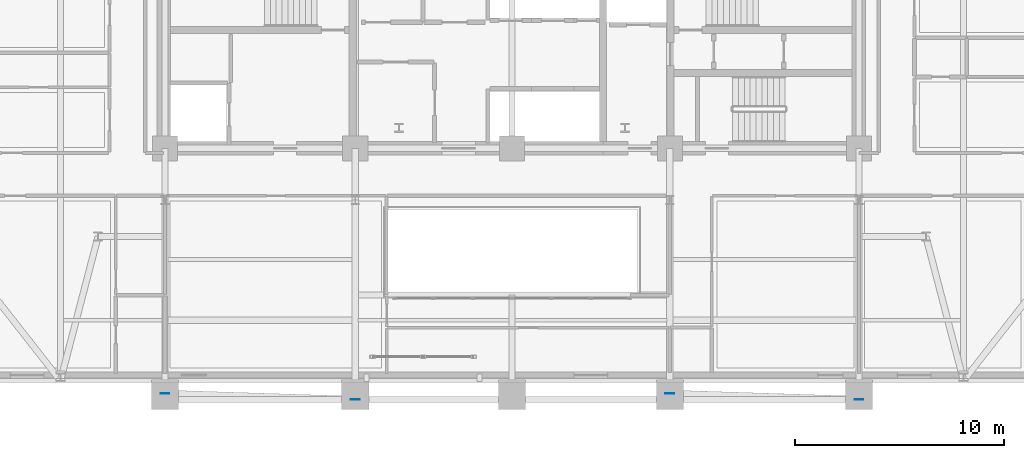
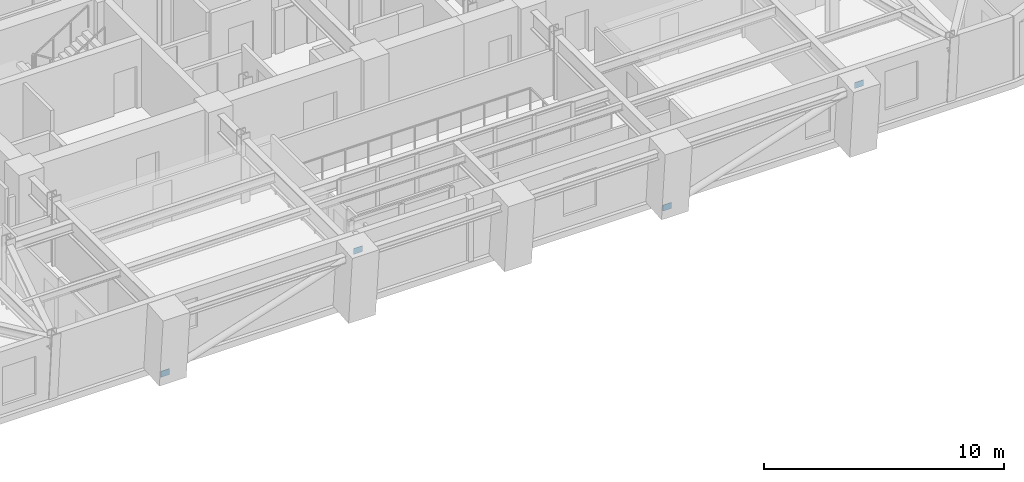
# One storey, part 7 of 15: 4 plates.
"""IFC4 building model written with IfcOpenShell, lengths in metres."""

from ifc_helpers import new_model, si_unit, direction, frame, origin, origin_2d, place, context, subcontext, project, spatial, rectangle, extrude, material, layer, layer_set, type_object, element, save


model = new_model("IFC4")

# Units and contexts
model_context = context("Model", 3, precision=1e-05, world=origin(), true_north=direction((0.0, 1.0)))
body_context = subcontext(model_context, "Body", "Model", "MODEL_VIEW")
ifc_project = project(units=[si_unit("LENGTHUNIT", "METRE"), si_unit("AREAUNIT", "SQUARE_METRE"), si_unit("VOLUMEUNIT", "CUBIC_METRE"), si_unit("PLANEANGLEUNIT", "RADIAN"), si_unit("MASSUNIT", "GRAM", prefix="KILO")], contexts=[model_context])

# Site, building, storey
site_placement = place(None, origin())
site = spatial("IfcSite", under=ifc_project, at=site_placement, CompositionType="ELEMENT")
building_placement = place(site_placement, origin())
building = spatial("IfcBuilding", under=site, at=building_placement, Name="Zarnavel Station Tower", CompositionType="ELEMENT")
storey_placement = place(building_placement, frame((0.0, 0.0, 111.800048828125)))
storey = spatial("IfcBuildingStorey", under=building, at=storey_placement, Name="L30", CompositionType="ELEMENT", Elevation=111.800048828125)

# Plates
ifc_material = material(Name="Steel S460M", Category="steel")
ifc_layer = layer(ifc_material, 0.02490234375)
ifc_layer_set = layer_set([ifc_layer], Name="GP_GUSSET_25")
plate_type = type_object("IfcPlateType", Name="GP_GUSSET_25", PredefinedType="USERDEFINED", material=ifc_layer_set)
for number, where, z_axis, x_axis, name in (
    (1, (12.199951171875, 16.0966796875, -0.14990234375), (0.0, 0.0, 1.0), (1.0, 0.0, 0.0), "L30 Exterior Diagonal Brace End Gusset 1-1"),
    (2, (21.300048828125, 15.802978515625, 3.08984375), (0.0, 0.0, 1.0), (1.0, 0.0, 0.0), "L30 Exterior Diagonal Brace End Gusset 1-2"),
    (3, (36.35009765625, 16.0966796875, -0.14990234375), (0.0, 0.0, 1.0), (1.0, 0.0, 0.0), "L30 Exterior Diagonal Brace End Gusset 2-1"),
    (4, (45.39990234375, 15.802978515625, 3.08984375), (0.0, 0.0, 1.0), (1.0, 0.0, 0.0), "L30 Exterior Diagonal Brace End Gusset 2-2"),
):
    element("IfcPlate", number, at=place(storey_placement, frame(where, z_axis=z_axis, x_axis=x_axis)), inside=storey, type_object=plate_type, Name=name, ObjectType="GUSSET_PLATE", PredefinedType="USERDEFINED", context=body_context, shape_type="SweptSolid", body=[
        extrude(rectangle(XDim=0.419921875, YDim=0.02490234375, at=origin_2d()), origin(), (0.0, 0.0, 1.0), 0.300048828125),
    ])

save(model, "model.ifc")
